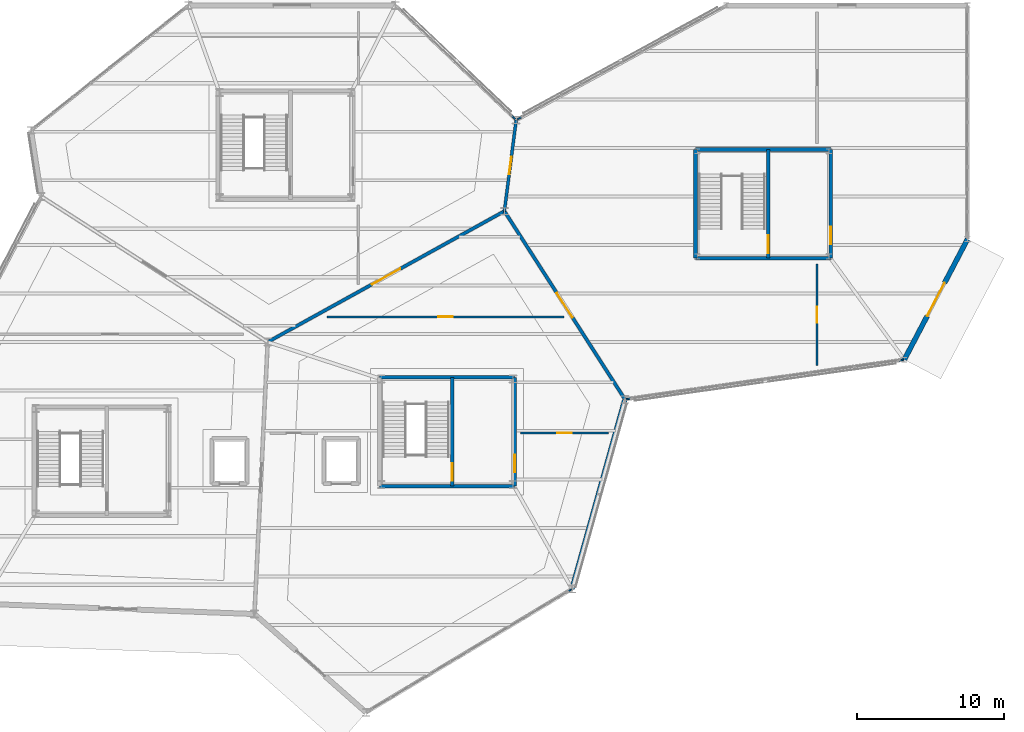
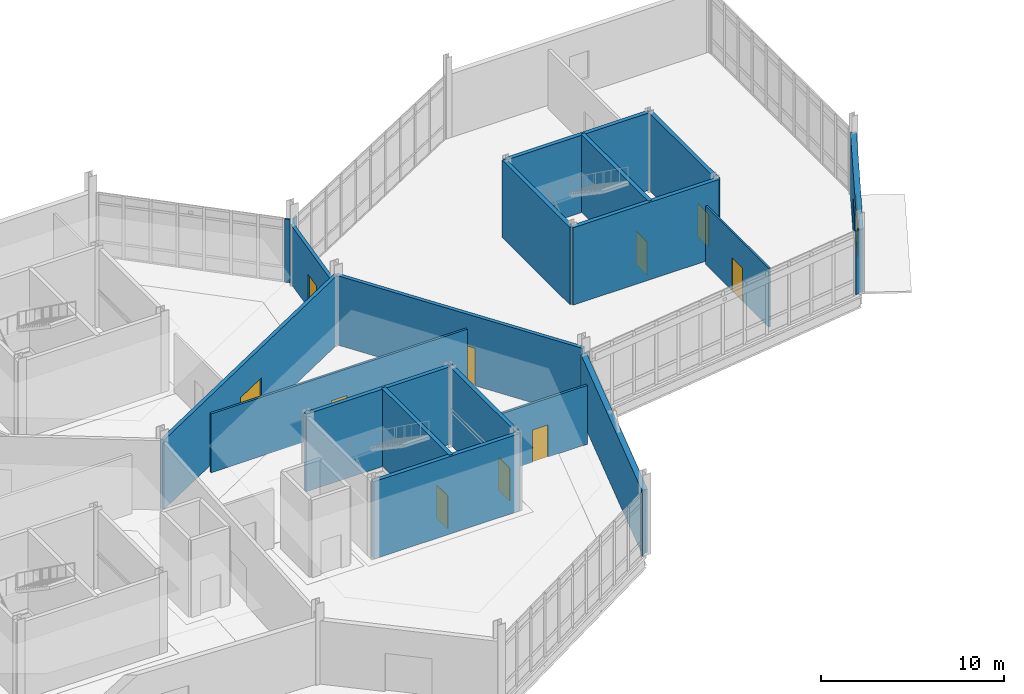
# One storey, part 99 of 113: 22 walls, 11 doors, 11 openings.
"""IFC4 building model written with IfcOpenShell, lengths in metres."""

from ifc_helpers import new_model, si_unit, direction, frame, frame_2d, origin, place, context, subcontext, project, spatial, rectangle, extrude, material, layer, layer_set, type_object, element, fill, save


model = new_model("IFC4")

# Units and contexts
model_context = context("Model", 3, precision=1e-05, world=origin(), true_north=direction((0.0, 1.0)))
body_context = subcontext(model_context, "Body", "Model", "MODEL_VIEW")
ifc_project = project(units=[si_unit("LENGTHUNIT", "METRE"), si_unit("AREAUNIT", "SQUARE_METRE"), si_unit("VOLUMEUNIT", "CUBIC_METRE"), si_unit("PLANEANGLEUNIT", "RADIAN"), si_unit("MASSUNIT", "GRAM", prefix="KILO")], contexts=[model_context])

# Site, building, storey
site_placement = place(None, origin())
site = spatial("IfcSite", under=ifc_project, at=site_placement, CompositionType="ELEMENT")
building_placement = place(site_placement, origin())
building = spatial("IfcBuilding", under=site, at=building_placement, Name="Tameran Prism Museum", CompositionType="ELEMENT")
storey_placement = place(building_placement, origin())
storey = spatial("IfcBuildingStorey", under=building, at=storey_placement, Name="L00", CompositionType="ELEMENT", Elevation=0.0)

# Walls
ifc_material_1 = material(Name="Precast Concrete N40 (40 MPa)", Category="concrete")
ifc_layer_1 = layer(ifc_material_1, 0.094970703125)
ifc_layer_set_1 = layer_set([ifc_layer_1])
wall_type_1 = type_object("IfcWallType", Name="EW-CLOS-095", PredefinedType="SOLIDWALL", material=ifc_layer_set_1)
wall_1_placement = place(storey_placement, frame((139.464111328125, 72.278076171875, 0.0), z_axis=(0.0, 0.0, 1.0), x_axis=(-0.858261853705, -0.513212032668, 0.0)))
element("IfcWall", 1, at=wall_1_placement, inside=storey, type_object=wall_type_1, Name="Facade Corner Closure EW-0070", PredefinedType="SOLIDWALL", context=body_context, shape_type="SweptSolid", body=[
    extrude(rectangle(XDim=0.307861328125, YDim=0.094970703125, at=frame_2d((0.15380859375, 0.0))), origin(), (0.0, 0.0, 1.0), 4.219970703125),
])
wall_2_placement = place(storey_placement, frame((135.403076171875, 104.48193359375, 0.0), z_axis=(0.0, 0.0, 1.0), x_axis=(0.726243974232, -0.687437044311, 0.0)))
element("IfcWall", 2, at=wall_2_placement, inside=storey, type_object=wall_type_1, Name="Facade Corner Closure EW-0074", PredefinedType="SOLIDWALL", context=body_context, shape_type="SweptSolid", body=[
    extrude(rectangle(XDim=0.308349609375, YDim=0.094970703125, at=frame_2d((0.154296875, 0.0))), origin(), (0.0, 0.0, 1.0), 4.219970703125),
])
for number, where, z_axis, x_axis, name in (
    (3, (162.05810546875, 87.89404296875, 0.0), (0.0, 0.0, 1.0), (-0.990232667812, -0.139424759628, 0.0), "Facade Corner Closure EW-0079"),
    (4, (143.506103515625, 85.257080078125, 0.0), (0.0, 0.0, 1.0), (-0.990232667812, -0.139424759628, 0.0), "Facade Corner Closure EW-0080"),
):
    element("IfcWall", number, at=place(storey_placement, frame(where, z_axis=z_axis, x_axis=x_axis)), inside=storey, type_object=wall_type_1, Name=name, PredefinedType="SOLIDWALL", context=body_context, shape_type="SweptSolid", body=[
        extrude(rectangle(XDim=0.30810546875, YDim=0.094970703125, at=frame_2d((0.154052734375, 0.0))), origin(), (0.0, 0.0, 1.0), 4.219970703125),
    ])
wall_3_placement = place(storey_placement, frame((135.7900390625, 104.2490234375, 0.0), z_axis=(0.0, 0.0, 1.0), x_axis=(0.876984894636, 0.480517944077, 0.0)))
element("IfcWall", 5, at=wall_3_placement, inside=storey, type_object=wall_type_1, Name="Facade Corner Closure EW-0085", PredefinedType="SOLIDWALL", context=body_context, shape_type="SweptSolid", body=[
    extrude(rectangle(XDim=0.307861328125, YDim=0.094970703125, at=frame_2d((0.15380859375, 0.0))), origin(), (0.0, 0.0, 1.0), 4.219970703125),
])
ifc_material_2 = material(Name="Precast Concrete N40 (40 MPa)", Category="concrete")
ifc_layer_2 = layer(ifc_material_2, 0.340087890625)
ifc_layer_set_2 = layer_set([ifc_layer_2])
wall_type_2 = type_object("IfcWallType", Name="EW-GAL-340", PredefinedType="SOLIDWALL", material=ifc_layer_set_2)
wall_4_placement = place(storey_placement, frame((143.083984375, 85.14208984375, 0.0), z_axis=(0.0, 0.0, 1.0), x_axis=(-0.268810029922, -0.963193214165, 0.0)))
element("IfcWall", 6, at=wall_4_placement, inside=storey, type_object=wall_type_2, Name="Exterior Fluted Precast Wall EW-0072", PredefinedType="SOLIDWALL", context=body_context, shape_type="SweptSolid", body=[
    extrude(rectangle(XDim=13.332763671875, YDim=0.340087890625, at=frame_2d((6.66650390625, 0.0))), origin(), (0.0, 0.0, 1.0), 4.219970703125),
])

# Wall, opening, door
wall_5_placement = place(storey_placement, frame((166.39990234375, 96.10009765625, 0.0), z_axis=(0.0, 0.0, 1.0), x_axis=(-0.464385293852, -0.885633275602, 0.0)))
wall_5 = element("IfcWall", 7, at=wall_5_placement, inside=storey, type_object=wall_type_2, Name="Exterior Fluted Precast Wall EW-0081", PredefinedType="SOLIDWALL", context=body_context, shape_type="SweptSolid", body=[
    extrude(rectangle(XDim=9.259033203125, YDim=0.340087890625, at=frame_2d((4.62939453125, 0.0))), origin(), (0.0, 0.0, 1.0), 4.219970703125),
])
opening_1_placement = place(wall_5_placement, frame((3.35498046875, 0.0, 0.0)))
opening_1 = element("IfcOpeningElement", 8, at=opening_1_placement, cuts=wall_5, Name="Opening ED-04", PredefinedType="OPENING", context=body_context, shape_type="SweptSolid", body=[
    extrude(rectangle(XDim=2.550048828125, YDim=2.5, at=frame_2d((1.27490234375, 1.25))), frame((0.0, 0.179931640625, 0.0), z_axis=(0.0, -1.0, 0.0), x_axis=(1.0, 0.0, 0.0)), (0.0, 0.0, 1.0), 0.360107421875),
])
ifc_material_3 = material(Name="Cyclone-Rated Anodised Aluminium 6063-T6 and Laminated Glass", Category="aluminium")
door_type_1 = type_object("IfcDoorType", Name="DR-EXT-230", OperationType="DOUBLE_DOOR_SINGLE_SWING", PredefinedType="DOOR", material=ifc_material_3)
door_1_placement = place(opening_1_placement, origin())
door_1 = element("IfcDoor", 9, at=door_1_placement, inside=storey, type_object=door_type_1, Name="Final Exit Double Door ED-04", OperationType="DOUBLE_DOOR_SINGLE_SWING", OverallHeight=2.5, OverallWidth=2.550048828125, PredefinedType="DOOR", context=body_context, shape_type="SweptSolid", body=[
    extrude(rectangle(XDim=2.550048828125, YDim=2.5, at=frame_2d((1.27490234375, 1.25))), frame((0.0, 0.02490234375, 0.0), z_axis=(0.0, -1.0, 0.0), x_axis=(1.0, 0.0, 0.0)), (0.0, 0.0, 1.0), 0.050048828125),
])
fill(opening_1, door_1)

ifc_material_4 = material(Name="Concrete N32 (32 MPa)", Category="concrete")
ifc_layer_3 = layer(ifc_material_4, 0.205078125)
ifc_layer_set_3 = layer_set([ifc_layer_3])
wall_type_3 = type_object("IfcWallType", Name="IW-CMP-205", PredefinedType="SOLIDWALL", material=ifc_layer_set_3)
wall_6_placement = place(storey_placement, frame((134.89990234375, 98.0, 0.0), z_axis=(0.0, 0.0, 1.0), x_axis=(0.127980011854, 0.991776747341, 0.0)))
wall_6 = element("IfcWall", 10, at=wall_6_placement, inside=storey, type_object=wall_type_3, Name="Compartment Wall IW-0033", PredefinedType="SOLIDWALL", context=body_context, shape_type="SweptSolid", body=[
    extrude(rectangle(XDim=6.25146484375, YDim=0.205078125, at=frame_2d((3.125732421875, 0.0))), origin(), (0.0, 0.0, 1.0), 3.919921875),
])
opening_2_placement = place(wall_6_placement, frame((2.52587890625, 0.0, 0.0)))
opening_2 = element("IfcOpeningElement", 11, at=opening_2_placement, cuts=wall_6, Name="Opening ID-0032", PredefinedType="OPENING", context=body_context, shape_type="SweptSolid", body=[
    extrude(rectangle(XDim=1.199951171875, YDim=2.199951171875, at=frame_2d((0.60009765625, 1.10009765625))), frame((0.0, 0.112548828125, 0.0), z_axis=(0.0, -1.0, 0.0), x_axis=(1.0, 0.0, 0.0)), (0.0, 0.0, 1.0), 0.22509765625),
])
ifc_material_5 = material(Name="Fire-Rated Steel Door Leaf and Frame", Category="steel")
door_type_2 = type_object("IfcDoorType", Name="DR-FD-120A", OperationType="NOTDEFINED", PredefinedType="DOOR", material=ifc_material_5)
door_2_placement = place(opening_2_placement, origin())
door_2 = element("IfcDoor", 12, at=door_2_placement, inside=storey, type_object=door_type_2, Name="Compartment Door ID-0032", OperationType="SINGLE_SWING_LEFT", OverallHeight=2.199951171875, OverallWidth=1.199951171875, PredefinedType="DOOR", context=body_context, shape_type="SweptSolid", body=[
    extrude(rectangle(XDim=1.199951171875, YDim=2.199951171875, at=frame_2d((0.60009765625, 1.10009765625))), frame((0.0, 0.02490234375, 0.0), z_axis=(0.0, -1.0, 0.0), x_axis=(1.0, 0.0, 0.0)), (0.0, 0.0, 1.0), 0.050048828125),
])
fill(opening_2, door_2)

ifc_material_6 = material(Name="Concrete N40 (40 MPa)", Category="concrete")
ifc_layer_4 = layer(ifc_material_6, 0.22509765625)
ifc_layer_set_4 = layer_set([ifc_layer_4])
wall_type_4 = type_object("IfcWallType", Name="IW-CMP-225", PredefinedType="SOLIDWALL", material=ifc_layer_set_4)
wall_7_placement = place(storey_placement, frame((134.89990234375, 98.0, 0.0), z_axis=(0.0, 0.0, 1.0), x_axis=(-0.875181353329, -0.483794996652, 0.0)))
wall_7 = element("IfcWall", 13, at=wall_7_placement, inside=storey, type_object=wall_type_4, Name="Compartment Wall IW-0031", PredefinedType="SOLIDWALL", context=body_context, shape_type="SweptSolid", body=[
    extrude(rectangle(XDim=18.39599609375, YDim=0.22509765625, at=frame_2d((9.197998046875, 0.0))), origin(), (0.0, 0.0, 1.0), 4.6201171875),
])
opening_3_placement = place(wall_7_placement, frame((8.097900390625, 0.0, 0.0)))
opening_3 = element("IfcOpeningElement", 14, at=opening_3_placement, cuts=wall_7, Name="Opening ID-0030", PredefinedType="OPENING", context=body_context, shape_type="SweptSolid", body=[
    extrude(rectangle(XDim=2.199951171875, YDim=2.60009765625, at=frame_2d((1.10009765625, 1.300048828125))), frame((0.0, 0.12255859375, 0.0), z_axis=(0.0, -1.0, 0.0), x_axis=(1.0, 0.0, 0.0)), (0.0, 0.0, 1.0), 0.2451171875),
])
ifc_material_7 = material(Name="Fire-Rated Steel Door Leaf and Frame", Category="steel")
door_type_3 = type_object("IfcDoorType", Name="DR-GAL-220", OperationType="DOUBLE_DOOR_SINGLE_SWING", PredefinedType="DOOR", material=ifc_material_7)
door_3_placement = place(opening_3_placement, origin())
door_3 = element("IfcDoor", 15, at=door_3_placement, inside=storey, type_object=door_type_3, Name="Compartment Door ID-0030", OperationType="DOUBLE_DOOR_SINGLE_SWING", OverallHeight=2.60009765625, OverallWidth=2.199951171875, PredefinedType="DOOR", context=body_context, shape_type="SweptSolid", body=[
    extrude(rectangle(XDim=2.199951171875, YDim=2.60009765625, at=frame_2d((1.10009765625, 1.300048828125))), frame((0.0, 0.02490234375, 0.0), z_axis=(0.0, -1.0, 0.0), x_axis=(1.0, 0.0, 0.0)), (0.0, 0.0, 1.0), 0.050048828125),
])
fill(opening_3, door_3)

wall_8_placement = place(storey_placement, frame((143.10009765625, 85.199951171875, 0.0), z_axis=(0.0, 0.0, 1.0), x_axis=(-0.539434641352, 0.842027474439, 0.0)))
wall_8 = element("IfcWall", 16, at=wall_8_placement, inside=storey, type_object=wall_type_4, Name="Compartment Wall IW-0032", PredefinedType="SOLIDWALL", context=body_context, shape_type="SweptSolid", body=[
    extrude(rectangle(XDim=15.201416015625, YDim=0.22509765625, at=frame_2d((7.6005859375, 0.0))), origin(), (0.0, 0.0, 1.0), 4.6201171875),
])
opening_4_placement = place(wall_8_placement, frame((6.60107421875, 0.0, 0.0)))
opening_4 = element("IfcOpeningElement", 17, at=opening_4_placement, cuts=wall_8, Name="Opening ID-0031", PredefinedType="OPENING", context=body_context, shape_type="SweptSolid", body=[
    extrude(rectangle(XDim=2.0, YDim=2.5, at=frame_2d((1.0, 1.25))), frame((0.0, 0.12255859375, 0.0), z_axis=(0.0, -1.0, 0.0), x_axis=(1.0, 0.0, 0.0)), (0.0, 0.0, 1.0), 0.2451171875),
])
ifc_material_8 = material(Name="Fire-Rated Steel Door Leaf and Frame", Category="steel")
door_type_4 = type_object("IfcDoorType", Name="DR-GAL-200", OperationType="DOUBLE_DOOR_SINGLE_SWING", PredefinedType="DOOR", material=ifc_material_8)
door_4_placement = place(opening_4_placement, origin())
door_4 = element("IfcDoor", 18, at=door_4_placement, inside=storey, type_object=door_type_4, Name="Compartment Door ID-0031", OperationType="DOUBLE_DOOR_SINGLE_SWING", OverallHeight=2.5, OverallWidth=2.0, PredefinedType="DOOR", context=body_context, shape_type="SweptSolid", body=[
    extrude(rectangle(XDim=2.0, YDim=2.5, at=frame_2d((1.0, 1.25))), frame((0.0, 0.02490234375, 0.0), z_axis=(0.0, -1.0, 0.0), x_axis=(1.0, 0.0, 0.0)), (0.0, 0.0, 1.0), 0.050048828125),
])
fill(opening_4, door_4)

# Walls
ifc_material_9 = material(Name="Concrete N40 (40 MPa)", Category="concrete")
ifc_layer_5 = layer(ifc_material_9, 0.25)
ifc_layer_set_5 = layer_set([ifc_layer_5])
wall_type_5 = type_object("IfcWallType", Name="IW-COR-250", PredefinedType="SHEAR", material=ifc_layer_set_5)
for number, where, z_axis, x_axis, name in (
    (19, (126.39990234375, 86.699951171875, 0.0), (0.0, 0.0, 1.0), (1.0, 0.0, 0.0), "Core Shear Wall CW-2-L00-N"),
    (20, (135.60009765625, 79.300048828125, 0.0), (0.0, 0.0, 1.0), (-1.0, 0.0, 0.0), "Core Shear Wall CW-2-L00-S"),
):
    element("IfcWall", number, at=place(storey_placement, frame(where, z_axis=z_axis, x_axis=x_axis)), inside=storey, type_object=wall_type_5, Name=name, PredefinedType="SHEAR", context=body_context, shape_type="SweptSolid", body=[
        extrude(rectangle(XDim=9.2001953125, YDim=0.25, at=frame_2d((4.60009765625, 0.0))), origin(), (0.0, 0.0, 1.0), 5.159912109375),
    ])

# Wall, opening, door
wall_9_placement = place(storey_placement, frame((135.60009765625, 86.699951171875, 0.0), z_axis=(0.0, 0.0, 1.0), x_axis=(0.0, -1.0, 0.0)))
wall_9 = element("IfcWall", 21, at=wall_9_placement, inside=storey, type_object=wall_type_5, Name="Core Shear Wall CW-2-L00-E", PredefinedType="SHEAR", context=body_context, shape_type="SweptSolid", body=[
    extrude(rectangle(XDim=7.39990234375, YDim=0.25, at=frame_2d((3.699951171875, 0.0))), origin(), (0.0, 0.0, 1.0), 5.159912109375),
])
opening_5_placement = place(wall_9_placement, frame((5.25, 0.0, 0.0)))
opening_5 = element("IfcOpeningElement", 22, at=opening_5_placement, cuts=wall_9, Name="Opening FD-0185", PredefinedType="OPENING", context=body_context, shape_type="SweptSolid", body=[
    extrude(rectangle(XDim=1.199951171875, YDim=2.199951171875, at=frame_2d((0.60009765625, 1.10009765625))), frame((0.0, 0.135009765625, 0.0), z_axis=(0.0, -1.0, 0.0), x_axis=(1.0, 0.0, 0.0)), (0.0, 0.0, 1.0), 0.27001953125),
])
door_5_placement = place(opening_5_placement, origin())
door_5 = element("IfcDoor", 23, at=door_5_placement, inside=storey, type_object=door_type_2, Name="Core Fire Door FD-0185", OperationType="SINGLE_SWING_LEFT", OverallHeight=2.199951171875, OverallWidth=1.199951171875, PredefinedType="DOOR", context=body_context, shape_type="SweptSolid", body=[
    extrude(rectangle(XDim=1.199951171875, YDim=2.199951171875, at=frame_2d((0.60009765625, 1.10009765625))), frame((0.0, 0.02490234375, 0.0), z_axis=(0.0, -1.0, 0.0), x_axis=(1.0, 0.0, 0.0)), (0.0, 0.0, 1.0), 0.050048828125),
])
fill(opening_5, door_5)

wall_10_placement = place(storey_placement, frame((131.35009765625, 86.699951171875, 0.0), z_axis=(0.0, 0.0, 1.0), x_axis=(0.0, -1.0, 0.0)))
wall_10 = element("IfcWall", 24, at=wall_10_placement, inside=storey, type_object=wall_type_5, Name="Core Shear Wall CW-2-L00-M", PredefinedType="SHEAR", context=body_context, shape_type="SweptSolid", body=[
    extrude(rectangle(XDim=7.39990234375, YDim=0.25, at=frame_2d((3.699951171875, 0.0))), origin(), (0.0, 0.0, 1.0), 5.159912109375),
])
opening_6_placement = place(wall_10_placement, frame((5.85009765625, 0.0, 0.0)))
opening_6 = element("IfcOpeningElement", 25, at=opening_6_placement, cuts=wall_10, Name="Opening FD-0186", PredefinedType="OPENING", context=body_context, shape_type="SweptSolid", body=[
    extrude(rectangle(XDim=1.199951171875, YDim=2.199951171875, at=frame_2d((0.60009765625, 1.10009765625))), frame((0.0, 0.135009765625, 0.0), z_axis=(0.0, -1.0, 0.0), x_axis=(1.0, 0.0, 0.0)), (0.0, 0.0, 1.0), 0.27001953125),
])
door_6_placement = place(opening_6_placement, origin())
door_6 = element("IfcDoor", 26, at=door_6_placement, inside=storey, type_object=door_type_2, Name="Core Fire Door FD-0186", OperationType="SINGLE_SWING_RIGHT", OverallHeight=2.199951171875, OverallWidth=1.199951171875, PredefinedType="DOOR", context=body_context, shape_type="SweptSolid", body=[
    extrude(rectangle(XDim=1.199951171875, YDim=2.199951171875, at=frame_2d((0.60009765625, 1.10009765625))), frame((0.0, 0.02490234375, 0.0), z_axis=(0.0, -1.0, 0.0), x_axis=(1.0, 0.0, 0.0)), (0.0, 0.0, 1.0), 0.050048828125),
])
fill(opening_6, door_6)

# Walls
wall_11_placement = place(storey_placement, frame((147.89990234375, 94.800048828125, 0.0), z_axis=(0.0, 0.0, 1.0), x_axis=(0.0, 1.0, 0.0)))
element("IfcWall", 27, at=wall_11_placement, inside=storey, type_object=wall_type_5, Name="Core Shear Wall CW-11-L00-W", PredefinedType="SHEAR", context=body_context, shape_type="SweptSolid", body=[
    extrude(rectangle(XDim=7.39990234375, YDim=0.25, at=frame_2d((3.699951171875, 0.0))), origin(), (0.0, 0.0, 1.0), 5.159912109375),
])
for number, where, z_axis, x_axis, name in (
    (28, (147.89990234375, 102.199951171875, 0.0), (0.0, 0.0, 1.0), (1.0, 0.0, 0.0), "Core Shear Wall CW-11-L00-N"),
    (29, (157.10009765625, 94.800048828125, 0.0), (0.0, 0.0, 1.0), (-1.0, 0.0, 0.0), "Core Shear Wall CW-11-L00-S"),
):
    element("IfcWall", number, at=place(storey_placement, frame(where, z_axis=z_axis, x_axis=x_axis)), inside=storey, type_object=wall_type_5, Name=name, PredefinedType="SHEAR", context=body_context, shape_type="SweptSolid", body=[
        extrude(rectangle(XDim=9.2001953125, YDim=0.25, at=frame_2d((4.60009765625, 0.0))), origin(), (0.0, 0.0, 1.0), 5.159912109375),
    ])

# Wall, opening, door
wall_12_placement = place(storey_placement, frame((157.10009765625, 102.199951171875, 0.0), z_axis=(0.0, 0.0, 1.0), x_axis=(0.0, -1.0, 0.0)))
wall_12 = element("IfcWall", 30, at=wall_12_placement, inside=storey, type_object=wall_type_5, Name="Core Shear Wall CW-11-L00-E", PredefinedType="SHEAR", context=body_context, shape_type="SweptSolid", body=[
    extrude(rectangle(XDim=7.39990234375, YDim=0.25, at=frame_2d((3.699951171875, 0.0))), origin(), (0.0, 0.0, 1.0), 5.159912109375),
])
opening_7_placement = place(wall_12_placement, frame((5.25, 0.0, 0.0)))
opening_7 = element("IfcOpeningElement", 31, at=opening_7_placement, cuts=wall_12, Name="Opening FD-0271", PredefinedType="OPENING", context=body_context, shape_type="SweptSolid", body=[
    extrude(rectangle(XDim=1.199951171875, YDim=2.199951171875, at=frame_2d((0.60009765625, 1.10009765625))), frame((0.0, 0.135009765625, 0.0), z_axis=(0.0, -1.0, 0.0), x_axis=(1.0, 0.0, 0.0)), (0.0, 0.0, 1.0), 0.27001953125),
])
door_7_placement = place(opening_7_placement, origin())
door_7 = element("IfcDoor", 32, at=door_7_placement, inside=storey, type_object=door_type_2, Name="Core Fire Door FD-0271", OperationType="SINGLE_SWING_LEFT", OverallHeight=2.199951171875, OverallWidth=1.199951171875, PredefinedType="DOOR", context=body_context, shape_type="SweptSolid", body=[
    extrude(rectangle(XDim=1.199951171875, YDim=2.199951171875, at=frame_2d((0.60009765625, 1.10009765625))), frame((0.0, 0.02490234375, 0.0), z_axis=(0.0, -1.0, 0.0), x_axis=(1.0, 0.0, 0.0)), (0.0, 0.0, 1.0), 0.050048828125),
])
fill(opening_7, door_7)

wall_13_placement = place(storey_placement, frame((152.85009765625, 102.199951171875, 0.0), z_axis=(0.0, 0.0, 1.0), x_axis=(0.0, -1.0, 0.0)))
wall_13 = element("IfcWall", 33, at=wall_13_placement, inside=storey, type_object=wall_type_5, Name="Core Shear Wall CW-11-L00-M", PredefinedType="SHEAR", context=body_context, shape_type="SweptSolid", body=[
    extrude(rectangle(XDim=7.39990234375, YDim=0.25, at=frame_2d((3.699951171875, 0.0))), origin(), (0.0, 0.0, 1.0), 5.159912109375),
])
opening_8_placement = place(wall_13_placement, frame((5.85009765625, 0.0, 0.0)))
opening_8 = element("IfcOpeningElement", 34, at=opening_8_placement, cuts=wall_13, Name="Opening FD-0272", PredefinedType="OPENING", context=body_context, shape_type="SweptSolid", body=[
    extrude(rectangle(XDim=1.199951171875, YDim=2.199951171875, at=frame_2d((0.60009765625, 1.10009765625))), frame((0.0, 0.135009765625, 0.0), z_axis=(0.0, -1.0, 0.0), x_axis=(1.0, 0.0, 0.0)), (0.0, 0.0, 1.0), 0.27001953125),
])
door_8_placement = place(opening_8_placement, origin())
door_8 = element("IfcDoor", 35, at=door_8_placement, inside=storey, type_object=door_type_2, Name="Core Fire Door FD-0272", OperationType="SINGLE_SWING_RIGHT", OverallHeight=2.199951171875, OverallWidth=1.199951171875, PredefinedType="DOOR", context=body_context, shape_type="SweptSolid", body=[
    extrude(rectangle(XDim=1.199951171875, YDim=2.199951171875, at=frame_2d((0.60009765625, 1.10009765625))), frame((0.0, 0.02490234375, 0.0), z_axis=(0.0, -1.0, 0.0), x_axis=(1.0, 0.0, 0.0)), (0.0, 0.0, 1.0), 0.050048828125),
])
fill(opening_8, door_8)

ifc_material_10 = material(Name="Store Lightweight Stud Partition")
ifc_layer_6 = layer(ifc_material_10, 0.110107421875)
ifc_layer_set_6 = layer_set([ifc_layer_6])
wall_type_6 = type_object("IfcWallType", Name="IW-PRT-110", PredefinedType="PARTITIONING", material=ifc_layer_set_6)
wall_14_placement = place(storey_placement, frame((156.1640625, 87.510986328125, 0.0), z_axis=(0.0, 0.0, 1.0), x_axis=(0.0, 1.0, 0.0)))
wall_14 = element("IfcWall", 36, at=wall_14_placement, inside=storey, type_object=wall_type_6, Name="Internal Partition PT-0055", PredefinedType="PARTITIONING", context=body_context, shape_type="SweptSolid", body=[
    extrude(rectangle(XDim=6.888916015625, YDim=0.110107421875, at=frame_2d((3.4443359375, 0.0))), origin(), (0.0, 0.0, 1.0), 3.919921875),
])
opening_9_placement = place(wall_14_placement, frame((2.89501953125, 0.0, 0.0)))
opening_9 = element("IfcOpeningElement", 37, at=opening_9_placement, cuts=wall_14, Name="Opening ID-0054", PredefinedType="OPENING", context=body_context, shape_type="SweptSolid", body=[
    extrude(rectangle(XDim=1.10009765625, YDim=2.199951171875, at=frame_2d((0.550048828125, 1.10009765625))), frame((0.0, 0.06494140625, 0.0), z_axis=(0.0, -1.0, 0.0), x_axis=(1.0, 0.0, 0.0)), (0.0, 0.0, 1.0), 0.130126953125),
])
ifc_material_11 = material(Name="Fire-Rated Steel Door Leaf and Frame", Category="steel")
door_type_5 = type_object("IfcDoorType", Name="DR-INT-110", OperationType="NOTDEFINED", PredefinedType="DOOR", material=ifc_material_11)
door_9_placement = place(opening_9_placement, origin())
door_9 = element("IfcDoor", 38, at=door_9_placement, inside=storey, type_object=door_type_5, Name="Interior Room Door ID-0054", OperationType="SINGLE_SWING_LEFT", OverallHeight=2.199951171875, OverallWidth=1.10009765625, PredefinedType="DOOR", context=body_context, shape_type="SweptSolid", body=[
    extrude(rectangle(XDim=1.10009765625, YDim=2.199951171875, at=frame_2d((0.550048828125, 1.10009765625))), frame((0.0, 0.02490234375, 0.0), z_axis=(0.0, -1.0, 0.0), x_axis=(1.0, 0.0, 0.0)), (0.0, 0.0, 1.0), 0.050048828125),
])
fill(opening_9, door_9)

ifc_material_12 = material(Name="Acoustic Seminar Stud Partition")
ifc_layer_7 = layer(ifc_material_12, 0.139892578125)
ifc_layer_set_7 = layer_set([ifc_layer_7])
wall_type_7 = type_object("IfcWallType", Name="IW-PRT-140", PredefinedType="PARTITIONING", material=ifc_layer_set_7)
wall_15_placement = place(storey_placement, frame((122.8291015625, 90.81298828125, 0.0), z_axis=(0.0, 0.0, 1.0), x_axis=(1.0, 0.0, 0.0)))
wall_15 = element("IfcWall", 39, at=wall_15_placement, inside=storey, type_object=wall_type_7, Name="Internal Partition PT-0052", PredefinedType="PARTITIONING", context=body_context, shape_type="SweptSolid", body=[
    extrude(rectangle(XDim=16.140869140625, YDim=0.139892578125, at=frame_2d((8.0703125, 0.0))), origin(), (0.0, 0.0, 1.0), 3.919921875),
])
opening_10_placement = place(wall_15_placement, frame((7.5810546875, 0.0, 0.0)))
opening_10 = element("IfcOpeningElement", 40, at=opening_10_placement, cuts=wall_15, Name="Opening ID-0051", PredefinedType="OPENING", context=body_context, shape_type="SweptSolid", body=[
    extrude(rectangle(XDim=0.97998046875, YDim=2.14990234375, at=frame_2d((0.489990234375, 1.074951171875))), frame((0.0, 0.079833984375, 0.0), z_axis=(0.0, -1.0, 0.0), x_axis=(1.0, 0.0, 0.0)), (0.0, 0.0, 1.0), 0.159912109375),
])
ifc_material_13 = material(Name="Acoustic Solid-Core Timber Door", Category="wood")
door_type_6 = type_object("IfcDoorType", Name="DR-INT-098", OperationType="NOTDEFINED", PredefinedType="DOOR", material=ifc_material_13)
door_10_placement = place(opening_10_placement, origin())
door_10 = element("IfcDoor", 41, at=door_10_placement, inside=storey, type_object=door_type_6, Name="Interior Room Door ID-0051", OperationType="SINGLE_SWING_RIGHT", OverallHeight=2.14990234375, OverallWidth=0.97998046875, PredefinedType="DOOR", context=body_context, shape_type="SweptSolid", body=[
    extrude(rectangle(XDim=0.97998046875, YDim=2.14990234375, at=frame_2d((0.489990234375, 1.074951171875))), frame((0.0, 0.02490234375, 0.0), z_axis=(0.0, -1.0, 0.0), x_axis=(1.0, 0.0, 0.0)), (0.0, 0.0, 1.0), 0.050048828125),
])
fill(opening_10, door_10)

ifc_material_14 = material(Name="Laboratory Moisture-Resistant Partition")
ifc_layer_8 = layer(ifc_material_14, 0.14990234375)
ifc_layer_set_8 = layer_set([ifc_layer_8])
wall_type_8 = type_object("IfcWallType", Name="IW-PRT-150", PredefinedType="PARTITIONING", material=ifc_layer_set_8)
wall_16_placement = place(storey_placement, frame((136.0, 82.905029296875, 0.0), z_axis=(0.0, 0.0, 1.0), x_axis=(1.0, 0.0, 0.0)))
wall_16 = element("IfcWall", 42, at=wall_16_placement, inside=storey, type_object=wall_type_8, Name="Internal Partition PT-0051", PredefinedType="PARTITIONING", context=body_context, shape_type="SweptSolid", body=[
    extrude(rectangle(XDim=5.991943359375, YDim=0.14990234375, at=frame_2d((2.99609375, 0.0))), origin(), (0.0, 0.0, 1.0), 3.919921875),
])
opening_11_placement = place(wall_16_placement, frame((2.506103515625, 0.0, 0.0)))
opening_11 = element("IfcOpeningElement", 43, at=opening_11_placement, cuts=wall_16, Name="Opening ID-0050", PredefinedType="OPENING", context=body_context, shape_type="SweptSolid", body=[
    extrude(rectangle(XDim=0.97998046875, YDim=2.14990234375, at=frame_2d((0.489990234375, 1.074951171875))), frame((0.0, 0.0849609375, 0.0), z_axis=(0.0, -1.0, 0.0), x_axis=(1.0, 0.0, 0.0)), (0.0, 0.0, 1.0), 0.169921875),
])
door_11_placement = place(opening_11_placement, origin())
door_11 = element("IfcDoor", 44, at=door_11_placement, inside=storey, type_object=door_type_6, Name="Interior Room Door ID-0050", OperationType="SINGLE_SWING_LEFT", OverallHeight=2.14990234375, OverallWidth=0.97998046875, PredefinedType="DOOR", context=body_context, shape_type="SweptSolid", body=[
    extrude(rectangle(XDim=0.97998046875, YDim=2.14990234375, at=frame_2d((0.489990234375, 1.074951171875))), frame((0.0, 0.02490234375, 0.0), z_axis=(0.0, -1.0, 0.0), x_axis=(1.0, 0.0, 0.0)), (0.0, 0.0, 1.0), 0.050048828125),
])
fill(opening_11, door_11)

save(model, "model.ifc")
